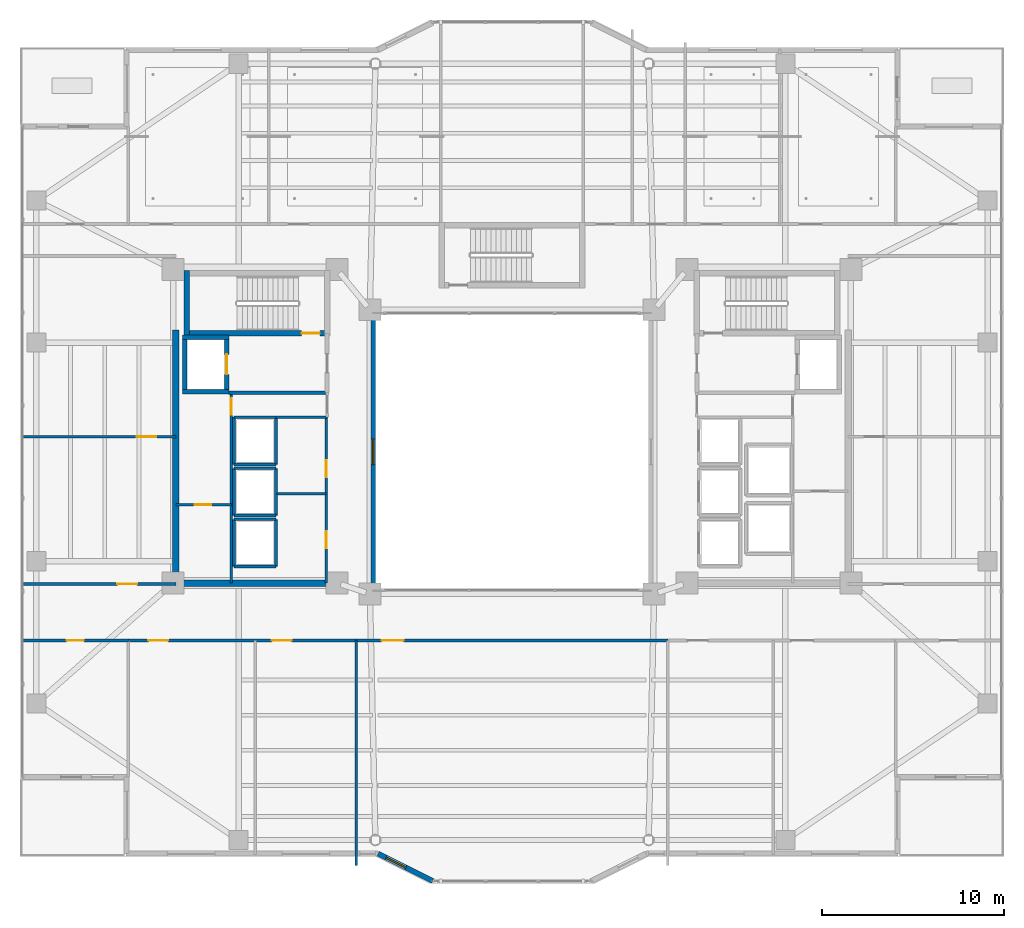
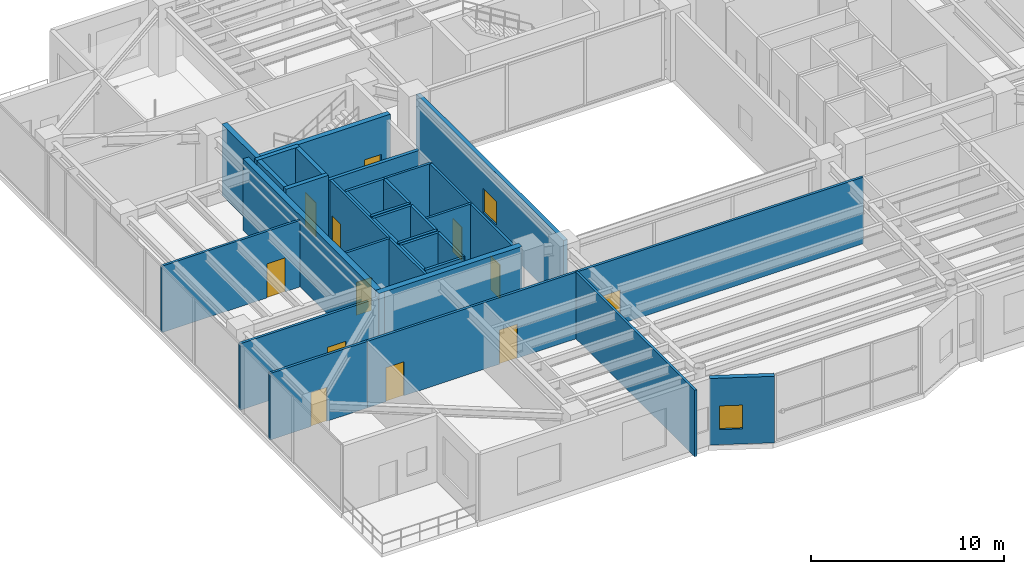
# One storey, part 27 of 37: 34 walls, 12 doors, 2 windows, 14 openings.
"""IFC4 building model written with IfcOpenShell, lengths in metres."""

from ifc_helpers import new_model, si_unit, direction, frame, frame_2d, origin, place, context, subcontext, project, spatial, rectangle, extrude, material, layer, layer_set, type_object, element, fill, save


model = new_model("IFC4")

# Units and contexts
model_context = context("Model", 3, precision=1e-05, world=origin(), true_north=direction((0.0, 1.0)))
body_context = subcontext(model_context, "Body", "Model", "MODEL_VIEW")
ifc_project = project(units=[si_unit("LENGTHUNIT", "METRE"), si_unit("AREAUNIT", "SQUARE_METRE"), si_unit("VOLUMEUNIT", "CUBIC_METRE"), si_unit("PLANEANGLEUNIT", "RADIAN"), si_unit("MASSUNIT", "GRAM", prefix="KILO")], contexts=[model_context])

# Site, building, storey
site_placement = place(None, origin())
site = spatial("IfcSite", under=ifc_project, at=site_placement, CompositionType="ELEMENT")
building_placement = place(site_placement, origin())
building = spatial("IfcBuilding", under=site, at=building_placement, Name="Tarnavaz Court Tower", CompositionType="ELEMENT")
storey_placement = place(building_placement, frame((0.0, 0.0, 118.5)))
storey = spatial("IfcBuildingStorey", under=building, at=storey_placement, Name="L32", CompositionType="ELEMENT", Elevation=118.5)

# Wall
ifc_material_1 = material(Name="Concrete C60/75", Category="concrete")
ifc_layer_1 = layer(ifc_material_1, 0.25)
ifc_layer_set_1 = layer_set([ifc_layer_1], Name="Concrete C60/75")
wall_type_1 = type_object("IfcWallType", Name="WL-CORE-250-C60", PredefinedType="SHEAR", material=ifc_layer_set_1)
wall_1_placement = place(storey_placement, frame((-17.949951171875, 3.175048828125, 0.0), z_axis=(0.0, 0.0, 1.0), x_axis=(0.0, 1.0, 0.0)))
element("IfcWall", 1, at=wall_1_placement, inside=storey, type_object=wall_type_1, Name="L32 Lift FL-W1 Shaft Wall 017", PredefinedType="SHEAR", context=body_context, shape_type="SweptSolid", body=[
    extrude(rectangle(XDim=3.25, YDim=0.25, at=frame_2d((1.625, 0.0))), origin(), (0.0, 0.0, 1.0), 4.5),
])

# Wall, opening, door
wall_2_placement = place(storey_placement, frame((-15.64990234375, 3.175048828125, 0.0), z_axis=(0.0, 0.0, 1.0), x_axis=(0.0, 1.0, 0.0)))
wall_2 = element("IfcWall", 2, at=wall_2_placement, inside=storey, type_object=wall_type_1, Name="L32 Lift FL-W1 Shaft Wall 018", PredefinedType="SHEAR", context=body_context, shape_type="SweptSolid", body=[
    extrude(rectangle(XDim=3.25, YDim=0.25, at=frame_2d((1.625, 0.0))), origin(), (0.0, 0.0, 1.0), 4.5),
])
opening_1_placement = place(wall_2_placement, frame((1.074951171875, 0.0, 0.0)))
opening_1 = element("IfcOpeningElement", 3, at=opening_1_placement, cuts=wall_2, Name="Opening LD1", PredefinedType="OPENING", context=body_context, shape_type="SweptSolid", body=[
    extrude(rectangle(XDim=1.10009765625, YDim=2.14990234375, at=frame_2d((0.550048828125, 1.074951171875))), frame((0.0, 0.135009765625, 0.0), z_axis=(0.0, -1.0, 0.0), x_axis=(1.0, 0.0, 0.0)), (0.0, 0.0, 1.0), 0.27001953125),
])
ifc_material_2 = material(Name="Stainless Steel", Category="steel")
door_type_1 = type_object("IfcDoorType", Name="DR-LD-1100", OperationType="NOTDEFINED", PredefinedType="DOOR", material=ifc_material_2)
door_1_placement = place(opening_1_placement, origin())
door_1 = element("IfcDoor", 4, at=door_1_placement, inside=storey, type_object=door_type_1, Name="L32 Lift Landing Door LD-FL-W1", OperationType="SLIDING_TO_LEFT", OverallHeight=2.14990234375, OverallWidth=1.10009765625, PredefinedType="DOOR", context=body_context, shape_type="SweptSolid", body=[
    extrude(rectangle(XDim=1.10009765625, YDim=2.14990234375, at=frame_2d((0.550048828125, 1.074951171875))), frame((0.0, 0.02490234375, 0.0), z_axis=(0.0, -1.0, 0.0), x_axis=(1.0, 0.0, 0.0)), (0.0, 0.0, 1.0), 0.050048828125),
])
fill(opening_1, door_1)

# Walls
for number, where, z_axis, x_axis, name in (
    (5, (-18.074951171875, 3.300048828125, 0.0), (0.0, 0.0, 1.0), (1.0, 0.0, 0.0), "L32 Lift FL-W1 Shaft Wall 019"),
    (6, (-18.074951171875, 6.300048828125, 0.0), (0.0, 0.0, 1.0), (1.0, 0.0, 0.0), "L32 Lift FL-W1 Shaft Wall 020"),
):
    element("IfcWall", number, at=place(storey_placement, frame(where, z_axis=z_axis, x_axis=x_axis)), inside=storey, type_object=wall_type_1, Name=name, PredefinedType="SHEAR", context=body_context, shape_type="SweptSolid", body=[
        extrude(rectangle(XDim=2.550048828125, YDim=0.25, at=frame_2d((1.27490234375, 0.0))), origin(), (0.0, 0.0, 1.0), 4.5),
    ])

# Wall, opening, door
ifc_layer_2 = layer(ifc_material_1, 0.300048828125)
ifc_layer_set_2 = layer_set([ifc_layer_2], Name="Concrete C60/75")
wall_type_2 = type_object("IfcWallType", Name="WL-CORE-300-C60", PredefinedType="SHEAR", material=ifc_layer_set_2)
wall_3_placement = place(storey_placement, frame((-18.0, 6.5, 0.0), z_axis=(0.0, 0.0, 1.0), x_axis=(1.0, 0.0, 0.0)))
wall_3 = element("IfcWall", 7, at=wall_3_placement, inside=storey, type_object=wall_type_2, Name="L32 West Stair Core Wall 002", PredefinedType="SHEAR", context=body_context, shape_type="SweptSolid", body=[
    extrude(rectangle(XDim=8.0, YDim=0.300048828125, at=frame_2d((4.0, 0.0))), origin(), (0.0, 0.0, 1.0), 4.5),
])
opening_2_placement = place(wall_3_placement, frame((6.449951171875, 0.0, 0.0)))
opening_2 = element("IfcOpeningElement", 8, at=opening_2_placement, cuts=wall_3, Name="Opening D01", PredefinedType="OPENING", context=body_context, shape_type="SweptSolid", body=[
    extrude(rectangle(XDim=1.0, YDim=2.14990234375, at=frame_2d((0.5, 1.074951171875))), frame((0.0, 0.159912109375, 0.0), z_axis=(0.0, -1.0, 0.0), x_axis=(1.0, 0.0, 0.0)), (0.0, 0.0, 1.0), 0.320068359375),
])
ifc_material_3 = material(Name="Fire-Rated Hardwood Timber Core", Category="wood")
door_type_2 = type_object("IfcDoorType", Name="DR-FD90-1000", OperationType="NOTDEFINED", PredefinedType="DOOR", material=ifc_material_3)
door_2_placement = place(opening_2_placement, origin())
door_2 = element("IfcDoor", 9, at=door_2_placement, inside=storey, type_object=door_type_2, Name="L32 Stair ST-W1 Exit Door", OperationType="SINGLE_SWING_LEFT", OverallHeight=2.14990234375, OverallWidth=1.0, PredefinedType="DOOR", context=body_context, shape_type="SweptSolid", body=[
    extrude(rectangle(XDim=1.0, YDim=2.14990234375, at=frame_2d((0.5, 1.074951171875))), frame((0.0, 0.02490234375, 0.0), z_axis=(0.0, -1.0, 0.0), x_axis=(1.0, 0.0, 0.0)), (0.0, 0.0, 1.0), 0.050048828125),
])
fill(opening_2, door_2)

# Walls
wall_4_placement = place(storey_placement, frame((-17.85009765625, 6.35009765625, 0.0), z_axis=(0.0, 0.0, 1.0), x_axis=(0.0, 1.0, 0.0)))
element("IfcWall", 10, at=wall_4_placement, inside=storey, type_object=wall_type_2, Name="L32 West Stair Core Wall 003", PredefinedType="SHEAR", context=body_context, shape_type="SweptSolid", body=[
    extrude(rectangle(XDim=3.58984375, YDim=0.300048828125, at=frame_2d((1.794921875, 0.0))), origin(), (0.0, 0.0, 1.0), 4.5),
])
ifc_layer_3 = layer(ifc_material_1, 0.35009765625)
ifc_layer_set_3 = layer_set([ifc_layer_3], Name="Concrete C60/75")
wall_type_3 = type_object("IfcWallType", Name="WL-CORE-350-C60", PredefinedType="SHEAR", material=ifc_layer_set_3)
wall_5_placement = place(storey_placement, frame((-18.449951171875, -7.375, 0.0), z_axis=(0.0, 0.0, 1.0), x_axis=(0.0, 1.0, 0.0)))
element("IfcWall", 11, at=wall_5_placement, inside=storey, type_object=wall_type_3, Name="L32 West Core Shear Wall 057", PredefinedType="SHEAR", context=body_context, shape_type="SweptSolid", body=[
    extrude(rectangle(XDim=14.050048828125, YDim=0.35009765625, at=frame_2d((7.02490234375, 0.0))), origin(), (0.0, 0.0, 1.0), 4.5),
])
wall_6_placement = place(storey_placement, frame((-18.625, -7.199951171875, 0.0), z_axis=(0.0, 0.0, 1.0), x_axis=(1.0, 0.0, 0.0)))
element("IfcWall", 12, at=wall_6_placement, inside=storey, type_object=wall_type_3, Name="L32 West Core South Shear Wall 058", PredefinedType="SHEAR", context=body_context, shape_type="SweptSolid", body=[
    extrude(rectangle(XDim=8.550048828125, YDim=0.35009765625, at=frame_2d((4.27490234375, 0.0))), origin(), (0.0, 0.0, 1.0), 4.5),
])

# Wall, opening, window
ifc_material_4 = material(Name="Precast Concrete C40/50", Category="concrete")
ifc_layer_4 = layer(ifc_material_4, 0.280029296875)
ifc_layer_set_4 = layer_set([ifc_layer_4], Name="Precast Concrete C40/50")
wall_type_4 = type_object("IfcWallType", Name="WL-EXT-280", PredefinedType="SOLIDWALL", material=ifc_layer_set_4)
wall_7_placement = place(storey_placement, frame((-4.35009765625, -23.550048828125, 0.0), z_axis=(0.0, 0.0, 1.0), x_axis=(-0.894427191, 0.4472135955, 0.0)))
wall_7 = element("IfcWall", 13, at=wall_7_placement, inside=storey, type_object=wall_type_4, Name="L32 Exterior Terracotta Facade Wall 18", PredefinedType="SOLIDWALL", context=body_context, shape_type="SweptSolid", body=[
    extrude(rectangle(XDim=3.35400390625, YDim=0.280029296875, at=frame_2d((1.677001953125, 0.0))), origin(), (0.0, 0.0, 1.0), 4.199951171875),
])
opening_3_placement = place(wall_7_placement, frame((1.65283203125, 0.0, 0.949951171875)))
opening_3 = element("IfcOpeningElement", 14, at=opening_3_placement, cuts=wall_7, Name="Opening W05", PredefinedType="OPENING", context=body_context, shape_type="SweptSolid", body=[
    extrude(rectangle(XDim=1.199951171875, YDim=1.5, at=frame_2d((0.60009765625, 0.75))), frame((0.0, 0.14990234375, 0.0), z_axis=(0.0, -1.0, 0.0), x_axis=(1.0, 0.0, 0.0)), (0.0, 0.0, 1.0), 0.300048828125),
])
ifc_material_5 = material(Name="Double-Glazed Solar Low-E Glass", Category="glass")
window_type_1 = type_object("IfcWindowType", Name="WN-APT-1200", PartitioningType="SINGLE_PANEL", PredefinedType="WINDOW", material=ifc_material_5)
window_1_placement = place(opening_3_placement, origin())
window_1 = element("IfcWindow", 15, at=window_1_placement, inside=storey, type_object=window_type_1, Name="L32 L32 Central Iwan Cultural Exhibition Hall Window", OverallHeight=1.5, OverallWidth=1.199951171875, PartitioningType="SINGLE_PANEL", PredefinedType="WINDOW", context=body_context, shape_type="SweptSolid", body=[
    extrude(rectangle(XDim=1.199951171875, YDim=1.5, at=frame_2d((0.60009765625, 0.75))), frame((0.0, 0.030029296875, 0.0), z_axis=(0.0, -1.0, 0.0), x_axis=(1.0, 0.0, 0.0)), (0.0, 0.0, 1.0), 0.06005859375),
])
fill(opening_3, window_1)

# Wall, openings, doors
ifc_material_6 = material(Name="Gypsum Fire-Board on Acoustic Metal Stud", Category="masonry")
ifc_layer_5 = layer(ifc_material_6, 0.14990234375)
ifc_layer_set_5 = layer_set([ifc_layer_5], Name="Gypsum Fire-Board on Acoustic Metal Stud")
wall_type_5 = type_object("IfcWallType", Name="WL-FIRE-150", PredefinedType="PARTITIONING", material=ifc_layer_set_5)
wall_8_placement = place(storey_placement, frame((-21.050048828125, -10.35009765625, 0.0), z_axis=(0.0, 0.0, 1.0), x_axis=(1.0, 0.0, 0.0)))
wall_8 = element("IfcWall", 16, at=wall_8_placement, inside=storey, type_object=wall_type_5, Name="L32 SW Horseshoe Wall 073", PredefinedType="PARTITIONING", context=body_context, shape_type="SweptSolid", body=[
    extrude(rectangle(XDim=12.5, YDim=0.14990234375, at=frame_2d((6.25, 0.0))), origin(), (0.0, 0.0, 1.0), 4.199951171875),
])
opening_4_placement = place(wall_8_placement, frame((1.10009765625, 0.0, 0.0)))
opening_4 = element("IfcOpeningElement", 17, at=opening_4_placement, cuts=wall_8, Name="Opening D12", PredefinedType="OPENING", context=body_context, shape_type="SweptSolid", body=[
    extrude(rectangle(XDim=1.080078125, YDim=2.14990234375, at=frame_2d((0.5400390625, 1.074951171875))), frame((0.0, 0.0849609375, 0.0), z_axis=(0.0, -1.0, 0.0), x_axis=(1.0, 0.0, 0.0)), (0.0, 0.0, 1.0), 0.169921875),
])
opening_5_placement = place(wall_8_placement, frame((7.8720703125, 0.0, 0.0)))
opening_5 = element("IfcOpeningElement", 18, at=opening_5_placement, cuts=wall_8, Name="Opening D12", PredefinedType="OPENING", context=body_context, shape_type="SweptSolid", body=[
    extrude(rectangle(XDim=1.080078125, YDim=2.14990234375, at=frame_2d((0.5400390625, 1.074951171875))), frame((0.0, 0.0849609375, 0.0), z_axis=(0.0, -1.0, 0.0), x_axis=(1.0, 0.0, 0.0)), (0.0, 0.0, 1.0), 0.169921875),
])
ifc_material_7 = material(Name="Engineered Oak Timber", Category="wood")
door_type_3 = type_object("IfcDoorType", Name="DR-INT-1100", OperationType="NOTDEFINED", PredefinedType="DOOR", material=ifc_material_7)
door_3_placement = place(opening_4_placement, origin())
door_3 = element("IfcDoor", 19, at=door_3_placement, inside=storey, type_object=door_type_3, Name="L32 L32 Daycare Classroom Door", OperationType="SINGLE_SWING_LEFT", OverallHeight=2.14990234375, OverallWidth=1.080078125, PredefinedType="DOOR", context=body_context, shape_type="SweptSolid", body=[
    extrude(rectangle(XDim=1.080078125, YDim=2.14990234375, at=frame_2d((0.5400390625, 1.074951171875))), frame((0.0, 0.02490234375, 0.0), z_axis=(0.0, -1.0, 0.0), x_axis=(1.0, 0.0, 0.0)), (0.0, 0.0, 1.0), 0.050048828125),
])
fill(opening_4, door_3)
door_4_placement = place(opening_5_placement, origin())
door_4 = element("IfcDoor", 20, at=door_4_placement, inside=storey, type_object=door_type_3, Name="L32 SW Study Room Door", OperationType="SINGLE_SWING_RIGHT", OverallHeight=2.14990234375, OverallWidth=1.080078125, PredefinedType="DOOR", context=body_context, shape_type="SweptSolid", body=[
    extrude(rectangle(XDim=1.080078125, YDim=2.14990234375, at=frame_2d((0.5400390625, 1.074951171875))), frame((0.0, 0.02490234375, 0.0), z_axis=(0.0, -1.0, 0.0), x_axis=(1.0, 0.0, 0.0)), (0.0, 0.0, 1.0), 0.050048828125),
])
fill(opening_5, door_4)

# Wall, opening, door
wall_9_placement = place(storey_placement, frame((-8.550048828125, -10.35009765625, 0.0), z_axis=(0.0, 0.0, 1.0), x_axis=(1.0, 0.0, 0.0)))
wall_9 = element("IfcWall", 21, at=wall_9_placement, inside=storey, type_object=wall_type_5, Name="L32 Interior Partition 085", PredefinedType="PARTITIONING", context=body_context, shape_type="SweptSolid", body=[
    extrude(rectangle(XDim=17.10009765625, YDim=0.14990234375, at=frame_2d((8.550048828125, 0.0))), origin(), (0.0, 0.0, 1.0), 4.199951171875),
])
opening_6_placement = place(wall_9_placement, frame((1.39990234375, 0.0, 0.0)))
opening_6 = element("IfcOpeningElement", 22, at=opening_6_placement, cuts=wall_9, Name="Opening D11", PredefinedType="OPENING", context=body_context, shape_type="SweptSolid", body=[
    extrude(rectangle(XDim=1.199951171875, YDim=2.14990234375, at=frame_2d((0.60009765625, 1.074951171875))), frame((0.0, 0.0849609375, 0.0), z_axis=(0.0, -1.0, 0.0), x_axis=(1.0, 0.0, 0.0)), (0.0, 0.0, 1.0), 0.169921875),
])
door_type_4 = type_object("IfcDoorType", Name="DR-INT-1200", OperationType="NOTDEFINED", PredefinedType="DOOR", material=ifc_material_7)
door_5_placement = place(opening_6_placement, origin())
door_5 = element("IfcDoor", 23, at=door_5_placement, inside=storey, type_object=door_type_4, Name="L32 Central Iwan Hall Door", OperationType="SINGLE_SWING_LEFT", OverallHeight=2.14990234375, OverallWidth=1.199951171875, PredefinedType="DOOR", context=body_context, shape_type="SweptSolid", body=[
    extrude(rectangle(XDim=1.199951171875, YDim=2.14990234375, at=frame_2d((0.60009765625, 1.074951171875))), frame((0.0, 0.02490234375, 0.0), z_axis=(0.0, -1.0, 0.0), x_axis=(1.0, 0.0, 0.0)), (0.0, 0.0, 1.0), 0.050048828125),
])
fill(opening_6, door_5)

wall_10_placement = place(storey_placement, frame((-26.8798828125, -7.25, 0.0), z_axis=(0.0, 0.0, 1.0), x_axis=(1.0, 0.0, 0.0)))
wall_10 = element("IfcWall", 24, at=wall_10_placement, inside=storey, type_object=wall_type_5, Name="L32 Interior Partition 086", PredefinedType="PARTITIONING", context=body_context, shape_type="SweptSolid", body=[
    extrude(rectangle(XDim=8.429931640625, YDim=0.14990234375, at=frame_2d((4.21484375, 0.0))), origin(), (0.0, 0.0, 1.0), 4.199951171875),
])
opening_7_placement = place(wall_10_placement, frame((5.22998046875, 0.0, 0.0)))
opening_7 = element("IfcOpeningElement", 25, at=opening_7_placement, cuts=wall_10, Name="Opening D12", PredefinedType="OPENING", context=body_context, shape_type="SweptSolid", body=[
    extrude(rectangle(XDim=1.080078125, YDim=2.14990234375, at=frame_2d((0.5400390625, 1.074951171875))), frame((0.0, 0.0849609375, 0.0), z_axis=(0.0, -1.0, 0.0), x_axis=(1.0, 0.0, 0.0)), (0.0, 0.0, 1.0), 0.169921875),
])
door_6_placement = place(opening_7_placement, origin())
door_6 = element("IfcDoor", 26, at=door_6_placement, inside=storey, type_object=door_type_3, Name="L32 West Suite Room 1 Door", OperationType="SINGLE_SWING_RIGHT", OverallHeight=2.14990234375, OverallWidth=1.080078125, PredefinedType="DOOR", context=body_context, shape_type="SweptSolid", body=[
    extrude(rectangle(XDim=1.080078125, YDim=2.14990234375, at=frame_2d((0.5400390625, 1.074951171875))), frame((0.0, 0.02490234375, 0.0), z_axis=(0.0, -1.0, 0.0), x_axis=(1.0, 0.0, 0.0)), (0.0, 0.0, 1.0), 0.050048828125),
])
fill(opening_7, door_6)

wall_11_placement = place(storey_placement, frame((-26.8798828125, -10.35009765625, 0.0), z_axis=(0.0, 0.0, 1.0), x_axis=(1.0, 0.0, 0.0)))
wall_11 = element("IfcWall", 27, at=wall_11_placement, inside=storey, type_object=wall_type_5, Name="L32 Interior Partition 096", PredefinedType="PARTITIONING", context=body_context, shape_type="SweptSolid", body=[
    extrude(rectangle(XDim=5.829833984375, YDim=0.14990234375, at=frame_2d((2.9150390625, 0.0))), origin(), (0.0, 0.0, 1.0), 4.199951171875),
])
opening_8_placement = place(wall_11_placement, frame((2.43994140625, 0.0, 0.0)))
opening_8 = element("IfcOpeningElement", 28, at=opening_8_placement, cuts=wall_11, Name="Opening D13", PredefinedType="OPENING", context=body_context, shape_type="SweptSolid", body=[
    extrude(rectangle(XDim=0.949951171875, YDim=2.14990234375, at=frame_2d((0.47509765625, 1.074951171875))), frame((0.0, 0.0849609375, 0.0), z_axis=(0.0, -1.0, 0.0), x_axis=(1.0, 0.0, 0.0)), (0.0, 0.0, 1.0), 0.169921875),
])
door_type_5 = type_object("IfcDoorType", Name="DR-INT-950", OperationType="NOTDEFINED", PredefinedType="DOOR", material=ifc_material_7)
door_7_placement = place(opening_8_placement, origin())
door_7 = element("IfcDoor", 29, at=door_7_placement, inside=storey, type_object=door_type_5, Name="L32 SW Terrace Salon Door", OperationType="SINGLE_SWING_RIGHT", OverallHeight=2.14990234375, OverallWidth=0.949951171875, PredefinedType="DOOR", context=body_context, shape_type="SweptSolid", body=[
    extrude(rectangle(XDim=0.949951171875, YDim=2.14990234375, at=frame_2d((0.47509765625, 1.074951171875))), frame((0.0, 0.02490234375, 0.0), z_axis=(0.0, -1.0, 0.0), x_axis=(1.0, 0.0, 0.0)), (0.0, 0.0, 1.0), 0.050048828125),
])
fill(opening_8, door_7)

# Walls
ifc_material_8 = material(Name="Autoclaved Aerated Concrete Blockwork", Category="masonry")
ifc_layer_6 = layer(ifc_material_8, 0.199951171875)
ifc_layer_set_6 = layer_set([ifc_layer_6], Name="Autoclaved Aerated Concrete Blockwork")
wall_type_6 = type_object("IfcWallType", Name="WL-FIRE-200", PredefinedType="SOLIDWALL", material=ifc_layer_set_6)
wall_12_placement = place(storey_placement, frame((-15.550048828125, 3.25, 0.0), z_axis=(0.0, 0.0, 1.0), x_axis=(1.0, 0.0, 0.0)))
element("IfcWall", 30, at=wall_12_placement, inside=storey, type_object=wall_type_6, Name="L32 West Firefighting Lobby Wall 013", PredefinedType="SOLIDWALL", context=body_context, shape_type="SweptSolid", body=[
    extrude(rectangle(XDim=5.400146484375, YDim=0.199951171875, at=frame_2d((2.7001953125, 0.0))), origin(), (0.0, 0.0, 1.0), 4.199951171875),
])
ifc_material_9 = material(Name="Gypsum Plasterboard Acoustic Partition", Category="masonry")
ifc_layer_7 = layer(ifc_material_9, 0.139892578125)
ifc_layer_set_7 = layer_set([ifc_layer_7], Name="Gypsum Plasterboard Acoustic Partition")
wall_type_7 = type_object("IfcWallType", Name="WL-PART-150", PredefinedType="PARTITIONING", material=ifc_layer_set_7)
wall_13_placement = place(storey_placement, frame((-12.949951171875, 1.89990234375, 0.0), z_axis=(0.0, 0.0, 1.0), x_axis=(1.0, 0.0, 0.0)))
element("IfcWall", 31, at=wall_13_placement, inside=storey, type_object=wall_type_7, Name="L32 Interior Partition 061", PredefinedType="PARTITIONING", context=body_context, shape_type="SweptSolid", body=[
    extrude(rectangle(XDim=2.800048828125, YDim=0.139892578125, at=frame_2d((1.39990234375, 0.0))), origin(), (0.0, 0.0, 1.0), 4.199951171875),
])

# Wall, opening, door
wall_14_placement = place(storey_placement, frame((-15.39990234375, -7.199951171875, 0.0), z_axis=(0.0, 0.0, 1.0), x_axis=(0.0, 1.0, 0.0)))
wall_14 = element("IfcWall", 32, at=wall_14_placement, inside=storey, type_object=wall_type_7, Name="L32 Interior Partition 063", PredefinedType="PARTITIONING", context=body_context, shape_type="SweptSolid", body=[
    extrude(rectangle(XDim=10.449951171875, YDim=0.139892578125, at=frame_2d((5.22509765625, 0.0))), origin(), (0.0, 0.0, 1.0), 4.199951171875),
])
opening_9_placement = place(wall_14_placement, frame((9.25, 0.0, 0.0)))
opening_9 = element("IfcOpeningElement", 33, at=opening_9_placement, cuts=wall_14, Name="Opening D09", PredefinedType="OPENING", context=body_context, shape_type="SweptSolid", body=[
    extrude(rectangle(XDim=0.89990234375, YDim=2.080078125, at=frame_2d((0.449951171875, 1.0400390625))), frame((0.0, 0.079833984375, 0.0), z_axis=(0.0, -1.0, 0.0), x_axis=(1.0, 0.0, 0.0)), (0.0, 0.0, 1.0), 0.159912109375),
])
door_type_6 = type_object("IfcDoorType", Name="DR-FD30-900", OperationType="NOTDEFINED", PredefinedType="DOOR", material=ifc_material_3)
door_8_placement = place(opening_9_placement, origin())
door_8 = element("IfcDoor", 34, at=door_8_placement, inside=storey, type_object=door_type_6, Name="L32 West Valve Room Door", OperationType="SINGLE_SWING_RIGHT", OverallHeight=2.080078125, OverallWidth=0.89990234375, PredefinedType="DOOR", context=body_context, shape_type="SweptSolid", body=[
    extrude(rectangle(XDim=0.89990234375, YDim=2.080078125, at=frame_2d((0.449951171875, 1.0400390625))), frame((0.0, 0.02490234375, 0.0), z_axis=(0.0, -1.0, 0.0), x_axis=(1.0, 0.0, 0.0)), (0.0, 0.0, 1.0), 0.050048828125),
])
fill(opening_9, door_8)

wall_15_placement = place(storey_placement, frame((-18.449951171875, -2.89990234375, 0.0), z_axis=(0.0, 0.0, 1.0), x_axis=(1.0, 0.0, 0.0)))
wall_15 = element("IfcWall", 35, at=wall_15_placement, inside=storey, type_object=wall_type_7, Name="L32 Interior Partition 064", PredefinedType="PARTITIONING", context=body_context, shape_type="SweptSolid", body=[
    extrude(rectangle(XDim=3.050048828125, YDim=0.139892578125, at=frame_2d((1.52490234375, 0.0))), origin(), (0.0, 0.0, 1.0), 4.199951171875),
])
opening_10_placement = place(wall_15_placement, frame((1.050048828125, 0.0, 0.0)))
opening_10 = element("IfcOpeningElement", 36, at=opening_10_placement, cuts=wall_15, Name="Opening D09", PredefinedType="OPENING", context=body_context, shape_type="SweptSolid", body=[
    extrude(rectangle(XDim=0.89990234375, YDim=2.080078125, at=frame_2d((0.449951171875, 1.0400390625))), frame((0.0, 0.079833984375, 0.0), z_axis=(0.0, -1.0, 0.0), x_axis=(1.0, 0.0, 0.0)), (0.0, 0.0, 1.0), 0.159912109375),
])
door_9_placement = place(opening_10_placement, origin())
door_9 = element("IfcDoor", 37, at=door_9_placement, inside=storey, type_object=door_type_6, Name="L32 West Power Plant Door", OperationType="SINGLE_SWING_LEFT", OverallHeight=2.080078125, OverallWidth=0.89990234375, PredefinedType="DOOR", context=body_context, shape_type="SweptSolid", body=[
    extrude(rectangle(XDim=0.89990234375, YDim=2.080078125, at=frame_2d((0.449951171875, 1.0400390625))), frame((0.0, 0.02490234375, 0.0), z_axis=(0.0, -1.0, 0.0), x_axis=(1.0, 0.0, 0.0)), (0.0, 0.0, 1.0), 0.050048828125),
])
fill(opening_10, door_9)

# Wall, openings, doors
wall_16_placement = place(storey_placement, frame((-10.199951171875, -7.199951171875, 0.0), z_axis=(0.0, 0.0, 1.0), x_axis=(0.0, 1.0, 0.0)))
wall_16 = element("IfcWall", 38, at=wall_16_placement, inside=storey, type_object=wall_type_7, Name="L32 West Reclaimed Core Wall 065", PredefinedType="PARTITIONING", context=body_context, shape_type="SweptSolid", body=[
    extrude(rectangle(XDim=9.119873046875, YDim=0.139892578125, at=frame_2d((4.56005859375, 0.0))), origin(), (0.0, 0.0, 1.0), 4.199951171875),
])
opening_11_placement = place(wall_16_placement, frame((1.89990234375, 0.0, 0.0)))
opening_11 = element("IfcOpeningElement", 39, at=opening_11_placement, cuts=wall_16, Name="Opening D08", PredefinedType="OPENING", context=body_context, shape_type="SweptSolid", body=[
    extrude(rectangle(XDim=0.949951171875, YDim=2.1201171875, at=frame_2d((0.47509765625, 1.06005859375))), frame((0.0, 0.079833984375, 0.0), z_axis=(0.0, -1.0, 0.0), x_axis=(1.0, 0.0, 0.0)), (0.0, 0.0, 1.0), 0.159912109375),
])
opening_12_placement = place(wall_16_placement, frame((5.800048828125, 0.0, 0.0)))
opening_12 = element("IfcOpeningElement", 40, at=opening_12_placement, cuts=wall_16, Name="Opening D08", PredefinedType="OPENING", context=body_context, shape_type="SweptSolid", body=[
    extrude(rectangle(XDim=0.949951171875, YDim=2.1201171875, at=frame_2d((0.47509765625, 1.06005859375))), frame((0.0, 0.079833984375, 0.0), z_axis=(0.0, -1.0, 0.0), x_axis=(1.0, 0.0, 0.0)), (0.0, 0.0, 1.0), 0.159912109375),
])
door_type_7 = type_object("IfcDoorType", Name="DR-FD30-950", OperationType="NOTDEFINED", PredefinedType="DOOR", material=ifc_material_3)
door_10_placement = place(opening_11_placement, origin())
door_10 = element("IfcDoor", 41, at=door_10_placement, inside=storey, type_object=door_type_7, Name="L32 West Study Room Door", OperationType="SINGLE_SWING_RIGHT", OverallHeight=2.1201171875, OverallWidth=0.949951171875, PredefinedType="DOOR", context=body_context, shape_type="SweptSolid", body=[
    extrude(rectangle(XDim=0.949951171875, YDim=2.1201171875, at=frame_2d((0.47509765625, 1.06005859375))), frame((0.0, 0.02490234375, 0.0), z_axis=(0.0, -1.0, 0.0), x_axis=(1.0, 0.0, 0.0)), (0.0, 0.0, 1.0), 0.050048828125),
])
fill(opening_11, door_10)
door_11_placement = place(opening_12_placement, origin())
door_11 = element("IfcDoor", 42, at=door_11_placement, inside=storey, type_object=door_type_7, Name="L32 West Laundry Room Door", OperationType="SINGLE_SWING_LEFT", OverallHeight=2.1201171875, OverallWidth=0.949951171875, PredefinedType="DOOR", context=body_context, shape_type="SweptSolid", body=[
    extrude(rectangle(XDim=0.949951171875, YDim=2.1201171875, at=frame_2d((0.47509765625, 1.06005859375))), frame((0.0, 0.02490234375, 0.0), z_axis=(0.0, -1.0, 0.0), x_axis=(1.0, 0.0, 0.0)), (0.0, 0.0, 1.0), 0.050048828125),
])
fill(opening_12, door_11)

# Walls
wall_17_placement = place(storey_placement, frame((-12.89990234375, -2.300048828125, 0.0), z_axis=(0.0, 0.0, 1.0), x_axis=(1.0, 0.0, 0.0)))
element("IfcWall", 43, at=wall_17_placement, inside=storey, type_object=wall_type_7, Name="L32 Interior Partition 066", PredefinedType="PARTITIONING", context=body_context, shape_type="SweptSolid", body=[
    extrude(rectangle(XDim=2.699951171875, YDim=0.139892578125, at=frame_2d((1.35009765625, 0.0))), origin(), (0.0, 0.0, 1.0), 4.199951171875),
])
wall_18_placement = place(storey_placement, frame((-8.550048828125, -22.7041015625, 0.0), z_axis=(0.0, 0.0, 1.0), x_axis=(0.0, 1.0, 0.0)))
element("IfcWall", 44, at=wall_18_placement, inside=storey, type_object=wall_type_7, Name="L32 Interior Partition 082", PredefinedType="PARTITIONING", context=body_context, shape_type="SweptSolid", body=[
    extrude(rectangle(XDim=12.35400390625, YDim=0.139892578125, at=frame_2d((6.177001953125, 0.0))), origin(), (0.0, 0.0, 1.0), 4.199951171875),
])

# Wall, opening, door
wall_19_placement = place(storey_placement, frame((-26.8798828125, 0.8291015625, 0.0), z_axis=(0.0, 0.0, 1.0), x_axis=(1.0, 0.0, 0.0)))
wall_19 = element("IfcWall", 45, at=wall_19_placement, inside=storey, type_object=wall_type_7, Name="L32 Interior Partition 098", PredefinedType="PARTITIONING", context=body_context, shape_type="SweptSolid", body=[
    extrude(rectangle(XDim=8.429931640625, YDim=0.139892578125, at=frame_2d((4.21484375, 0.0))), origin(), (0.0, 0.0, 1.0), 4.199951171875),
])
opening_13_placement = place(wall_19_placement, frame((6.280029296875, 0.0, 0.0)))
opening_13 = element("IfcOpeningElement", 46, at=opening_13_placement, cuts=wall_19, Name="Opening D12", PredefinedType="OPENING", context=body_context, shape_type="SweptSolid", body=[
    extrude(rectangle(XDim=1.080078125, YDim=2.14990234375, at=frame_2d((0.5400390625, 1.074951171875))), frame((0.0, 0.079833984375, 0.0), z_axis=(0.0, -1.0, 0.0), x_axis=(1.0, 0.0, 0.0)), (0.0, 0.0, 1.0), 0.159912109375),
])
door_12_placement = place(opening_13_placement, origin())
door_12 = element("IfcDoor", 47, at=door_12_placement, inside=storey, type_object=door_type_3, Name="L32 West Suite Room 2 Door", OperationType="SINGLE_SWING_LEFT", OverallHeight=2.14990234375, OverallWidth=1.080078125, PredefinedType="DOOR", context=body_context, shape_type="SweptSolid", body=[
    extrude(rectangle(XDim=1.080078125, YDim=2.14990234375, at=frame_2d((0.5400390625, 1.074951171875))), frame((0.0, 0.02490234375, 0.0), z_axis=(0.0, -1.0, 0.0), x_axis=(1.0, 0.0, 0.0)), (0.0, 0.0, 1.0), 0.050048828125),
])
fill(opening_13, door_12)

# Walls
ifc_layer_8 = layer(ifc_material_8, 0.159912109375)
ifc_layer_set_8 = layer_set([ifc_layer_8], Name="Autoclaved Aerated Concrete Blockwork")
wall_type_8 = type_object("IfcWallType", Name="WL-SHAFT-150", PredefinedType="SOLIDWALL", material=ifc_layer_set_8)
for number, where, z_axis, x_axis, name in (
    (48, (-15.25, -6.300048828125, 0.0), (0.0, 0.0, 1.0), (0.0, 1.0, 0.0), "L32 Lift PL-H1 Shaft Wall 021"),
    (49, (-12.949951171875, -6.300048828125, 0.0), (0.0, 0.0, 1.0), (0.0, 1.0, 0.0), "L32 Lift PL-H1 Shaft Wall 022"),
):
    element("IfcWall", number, at=place(storey_placement, frame(where, z_axis=z_axis, x_axis=x_axis)), inside=storey, type_object=wall_type_8, Name=name, PredefinedType="SOLIDWALL", context=body_context, shape_type="SweptSolid", body=[
        extrude(rectangle(XDim=2.60009765625, YDim=0.159912109375, at=frame_2d((1.300048828125, 0.0))), origin(), (0.0, 0.0, 1.0), 4.199951171875),
    ])
for number, where, z_axis, x_axis, name in (
    (50, (-15.25, -6.300048828125, 0.0), (0.0, 0.0, 1.0), (1.0, 0.0, 0.0), "L32 Lift PL-H1 Shaft Wall 023"),
    (51, (-15.25, -3.699951171875, 0.0), (0.0, 0.0, 1.0), (1.0, 0.0, 0.0), "L32 Lift PL-H1 Shaft Wall 024"),
):
    element("IfcWall", number, at=place(storey_placement, frame(where, z_axis=z_axis, x_axis=x_axis)), inside=storey, type_object=wall_type_8, Name=name, PredefinedType="SOLIDWALL", context=body_context, shape_type="SweptSolid", body=[
        extrude(rectangle(XDim=2.300048828125, YDim=0.159912109375, at=frame_2d((1.14990234375, 0.0))), origin(), (0.0, 0.0, 1.0), 4.199951171875),
    ])
for number, where, z_axis, x_axis, name in (
    (52, (-15.25, -3.5, 0.0), (0.0, 0.0, 1.0), (0.0, 1.0, 0.0), "L32 Lift PL-H2 Shaft Wall 025"),
    (53, (-12.949951171875, -3.5, 0.0), (0.0, 0.0, 1.0), (0.0, 1.0, 0.0), "L32 Lift PL-H2 Shaft Wall 026"),
):
    element("IfcWall", number, at=place(storey_placement, frame(where, z_axis=z_axis, x_axis=x_axis)), inside=storey, type_object=wall_type_8, Name=name, PredefinedType="SOLIDWALL", context=body_context, shape_type="SweptSolid", body=[
        extrude(rectangle(XDim=2.60009765625, YDim=0.159912109375, at=frame_2d((1.300048828125, 0.0))), origin(), (0.0, 0.0, 1.0), 4.199951171875),
    ])
for number, where, z_axis, x_axis, name in (
    (54, (-15.25, -3.5, 0.0), (0.0, 0.0, 1.0), (1.0, 0.0, 0.0), "L32 Lift PL-H2 Shaft Wall 027"),
    (55, (-15.25, -0.89990234375, 0.0), (0.0, 0.0, 1.0), (1.0, 0.0, 0.0), "L32 Lift PL-H2 Shaft Wall 028"),
):
    element("IfcWall", number, at=place(storey_placement, frame(where, z_axis=z_axis, x_axis=x_axis)), inside=storey, type_object=wall_type_8, Name=name, PredefinedType="SOLIDWALL", context=body_context, shape_type="SweptSolid", body=[
        extrude(rectangle(XDim=2.300048828125, YDim=0.159912109375, at=frame_2d((1.14990234375, 0.0))), origin(), (0.0, 0.0, 1.0), 4.199951171875),
    ])
for number, where, z_axis, x_axis, name in (
    (56, (-15.25, -0.699951171875, 0.0), (0.0, 0.0, 1.0), (0.0, 1.0, 0.0), "L32 Lift PL-H3 Shaft Wall 029"),
    (57, (-12.949951171875, -0.699951171875, 0.0), (0.0, 0.0, 1.0), (0.0, 1.0, 0.0), "L32 Lift PL-H3 Shaft Wall 030"),
):
    element("IfcWall", number, at=place(storey_placement, frame(where, z_axis=z_axis, x_axis=x_axis)), inside=storey, type_object=wall_type_8, Name=name, PredefinedType="SOLIDWALL", context=body_context, shape_type="SweptSolid", body=[
        extrude(rectangle(XDim=2.599853515625, YDim=0.159912109375, at=frame_2d((1.2998046875, 0.0))), origin(), (0.0, 0.0, 1.0), 4.199951171875),
    ])
for number, where, z_axis, x_axis, name in (
    (58, (-15.25, -0.699951171875, 0.0), (0.0, 0.0, 1.0), (1.0, 0.0, 0.0), "L32 Lift PL-H3 Shaft Wall 031"),
    (59, (-15.25, 1.89990234375, 0.0), (0.0, 0.0, 1.0), (1.0, 0.0, 0.0), "L32 Lift PL-H3 Shaft Wall 032"),
):
    element("IfcWall", number, at=place(storey_placement, frame(where, z_axis=z_axis, x_axis=x_axis)), inside=storey, type_object=wall_type_8, Name=name, PredefinedType="SOLIDWALL", context=body_context, shape_type="SweptSolid", body=[
        extrude(rectangle(XDim=2.300048828125, YDim=0.159912109375, at=frame_2d((1.14990234375, 0.0))), origin(), (0.0, 0.0, 1.0), 4.199951171875),
    ])

# Wall, opening, window
ifc_layer_9 = layer(ifc_material_4, 0.239990234375)
ifc_layer_set_9 = layer_set([ifc_layer_9], Name="Precast Concrete C40/50")
wall_type_9 = type_object("IfcWallType", Name="WL-WELL-240", PredefinedType="SOLIDWALL", material=ifc_layer_set_9)
wall_20_placement = place(storey_placement, frame((-7.6201171875, 7.6201171875, 0.0), z_axis=(0.0, 0.0, 1.0), x_axis=(0.0, -1.0, 0.0)))
wall_20 = element("IfcWall", 60, at=wall_20_placement, inside=storey, type_object=wall_type_9, Name="L32 Badgir Light-Well Exterior Wall W", PredefinedType="SOLIDWALL", context=body_context, shape_type="SweptSolid", body=[
    extrude(rectangle(XDim=15.240234375, YDim=0.239990234375, at=frame_2d((7.6201171875, 0.0))), origin(), (0.0, 0.0, 1.0), 4.199951171875),
])
opening_14_placement = place(wall_20_placement, frame((6.919921875, 0.0, 0.949951171875)))
opening_14 = element("IfcOpeningElement", 61, at=opening_14_placement, cuts=wall_20, Name="Opening W13", PredefinedType="OPENING", context=body_context, shape_type="SweptSolid", body=[
    extrude(rectangle(XDim=1.39990234375, YDim=1.5, at=frame_2d((0.699951171875, 0.75))), frame((0.0, 0.1298828125, 0.0), z_axis=(0.0, -1.0, 0.0), x_axis=(1.0, 0.0, 0.0)), (0.0, 0.0, 1.0), 0.260009765625),
])
window_type_2 = type_object("IfcWindowType", Name="WN-WEL-1400", PartitioningType="SINGLE_PANEL", PredefinedType="WINDOW", material=ifc_material_5)
window_2_placement = place(opening_14_placement, origin())
window_2 = element("IfcWindow", 62, at=window_2_placement, inside=storey, type_object=window_type_2, Name="L32 Courtyard Gallery Window W", OverallHeight=1.5, OverallWidth=1.39990234375, PartitioningType="SINGLE_PANEL", PredefinedType="WINDOW", context=body_context, shape_type="SweptSolid", body=[
    extrude(rectangle(XDim=1.39990234375, YDim=1.5, at=frame_2d((0.699951171875, 0.75))), frame((0.0, 0.030029296875, 0.0), z_axis=(0.0, -1.0, 0.0), x_axis=(1.0, 0.0, 0.0)), (0.0, 0.0, 1.0), 0.06005859375),
])
fill(opening_14, window_2)

save(model, "model.ifc")
